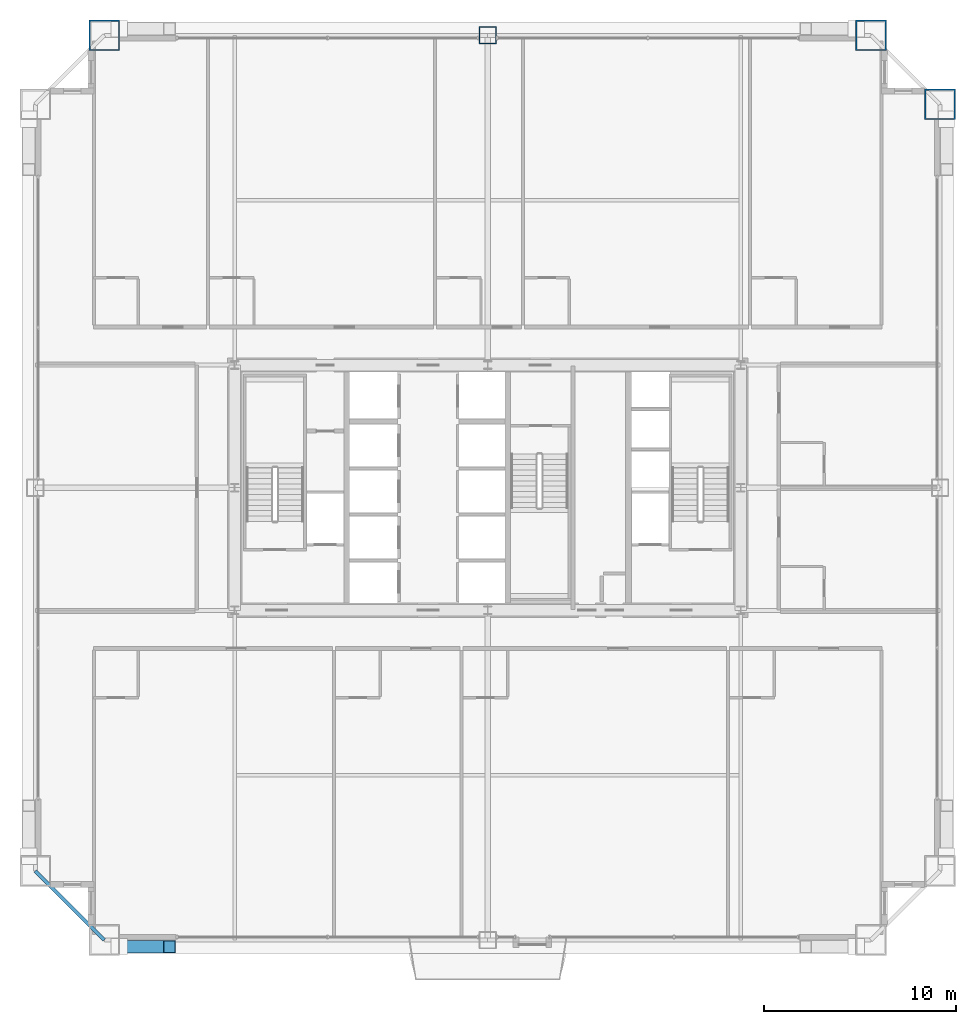
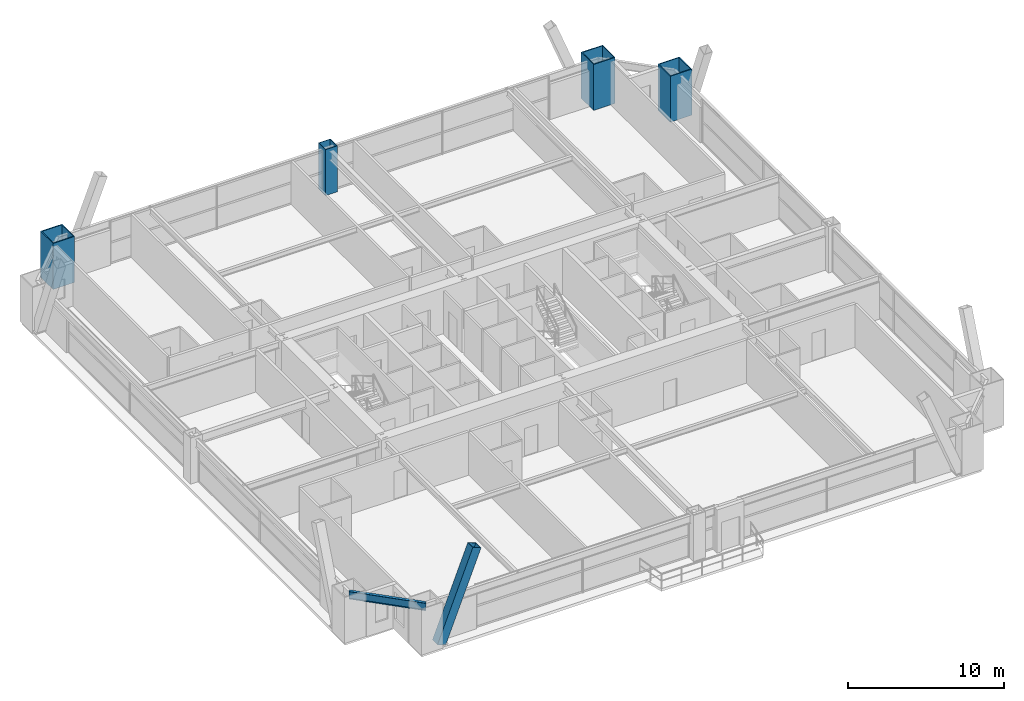
# One storey, part 2 of 41: 4 columns, 1 beam, 1 member.
"""IFC4 building model written with IfcOpenShell, lengths in metres."""

from ifc_helpers import new_model, si_unit, direction, frame, origin, origin_2d, place, context, subcontext, project, spatial, hollow_rectangle, i_section, extrude, source, transform, mapped, material, material_profile, profile_set, type_object, element, save


model = new_model("IFC4")

# Units and contexts
model_context = context("Model", 3, precision=1e-05, world=origin(), true_north=direction((0.0, 1.0)))
body_context = subcontext(model_context, "Body", "Model", "MODEL_VIEW")
ifc_project = project(units=[si_unit("LENGTHUNIT", "METRE"), si_unit("AREAUNIT", "SQUARE_METRE"), si_unit("VOLUMEUNIT", "CUBIC_METRE"), si_unit("PLANEANGLEUNIT", "RADIAN"), si_unit("MASSUNIT", "GRAM", prefix="KILO"), si_unit("THERMODYNAMICTEMPERATUREUNIT", "KELVIN"), si_unit("POWERUNIT", "WATT")], contexts=[model_context])

# Site, building, storey
site_placement = place(None, origin())
site = spatial("IfcSite", under=ifc_project, at=site_placement, CompositionType="ELEMENT")
building_placement = place(site_placement, origin())
building = spatial("IfcBuilding", under=site, at=building_placement, Name="Yuzanri Waterfront Tower", CompositionType="ELEMENT")
storey_placement = place(building_placement, frame((0.0, 0.0, 122.60009765625)))
storey = spatial("IfcBuildingStorey", under=building, at=storey_placement, Name="L32", CompositionType="ELEMENT", Elevation=122.60009765625)

# Columns
ifc_material_1 = material(Name="Steel Q390GJC", Category="steel")
ifc_material_profile_1 = material_profile(ifc_material_1, hollow_rectangle(XDim=0.89990234375, YDim=0.89990234375, WallThickness=0.0419921875, at=origin_2d()), Name="RHS 900x900x42")
ifc_profile_set_1 = profile_set([ifc_material_profile_1], Name="Steel Q390GJC")
column_type_1 = type_object("IfcColumnType", Name="Frame Column Q390GJC RHS 900x900x42", PredefinedType="COLUMN", material=ifc_profile_set_1)
shared_shape_1 = source(origin(), body_context, "Body", "SweptSolid", [
    extrude(hollow_rectangle(XDim=0.89990234375, YDim=0.89990234375, WallThickness=0.0419921875, at=origin_2d()), origin(), (0.0, 0.0, 1.0), 3.599853515625),
])
column_placement = place(storey_placement, frame((37.0, 49.39990234375, 0.0), z_axis=(0.0, 0.0, 1.0), x_axis=(1.0, 0.0, 0.0)))
element("IfcColumn", 1, at=column_placement, inside=storey, type_object=column_type_1, Name="L32 Perimeter Frame Column N2", PredefinedType="COLUMN", context=body_context, shape_type="MappedRepresentation", body=[
    mapped(shared_shape_1, transform((0.0, 0.0, 0.0), scale=1.0)),
])
ifc_material_2 = material(Name="Steel Q420GJC", Category="steel")
ifc_material_profile_2 = material_profile(ifc_material_2, hollow_rectangle(XDim=1.60009765625, YDim=1.60009765625, WallThickness=0.070068359375, at=origin_2d()), Name="RHS 1600x1600x70")
ifc_profile_set_2 = profile_set([ifc_material_profile_2], Name="Steel Q420GJC")
column_type_2 = type_object("IfcColumnType", Name="Mega Column Q420GJC RHS 1600x1600x70", PredefinedType="COLUMN", material=ifc_profile_set_2)
shared_shape_2 = source(origin(), body_context, "Body", "SweptSolid", [
    extrude(hollow_rectangle(XDim=1.60009765625, YDim=1.60009765625, WallThickness=0.070068359375, at=origin_2d()), origin(), (0.0, 0.0, 1.0), 3.599853515625),
])
for number, where, z_axis, x_axis, name in (
    (2, (17.0, 49.39990234375, 0.0), (0.0, 0.0, 1.0), (1.0, 0.0, 0.0), "L32 Perimeter Mega Column N1"),
    (3, (57.0, 49.39990234375, 0.0), (0.0, 0.0, 1.0), (1.0, 0.0, 0.0), "L32 Perimeter Mega Column N3"),
    (4, (60.60009765625, 45.800048828125, 0.0), (0.0, 0.0, 1.0), (1.0, 0.0, 0.0), "L32 Perimeter Mega Column E3"),
):
    element("IfcColumn", number, at=place(storey_placement, frame(where, z_axis=z_axis, x_axis=x_axis)), inside=storey, type_object=column_type_2, Name=name, PredefinedType="COLUMN", context=body_context, shape_type="MappedRepresentation", body=[
        mapped(shared_shape_2, transform((0.0, 0.0, 0.0), scale=1.0)),
    ])

# Beam
ifc_material_3 = material(Name="Steel Q355B", Category="steel")
ifc_material_profile_3 = material_profile(ifc_material_3, i_section(OverallWidth=0.199951171875, OverallDepth=0.60009765625, WebThickness=0.010986328125, FlangeThickness=0.01708984375, at=origin_2d()), Name="HN 600x200x11x17")
ifc_profile_set_3 = profile_set([ifc_material_profile_3], Name="Steel Q355B")
beam_type = type_object("IfcBeamType", Name="Perimeter Spandrel Q355B HN 600x200", PredefinedType="SPANDREL", material=ifc_profile_set_3)
shared_shape_3 = source(origin(), body_context, "Body", "SweptSolid", [
    extrude(i_section(OverallWidth=0.199951171875, OverallDepth=0.60009765625, WebThickness=0.010986328125, FlangeThickness=0.01708984375, at=origin_2d()), origin(), (0.0, 0.0, 1.0), 5.09130859375),
])
beam_placement = place(storey_placement, frame((13.39990234375, 5.800048828125, 3.079833984375), z_axis=(0.707106781187, -0.707106781187, 0.0), x_axis=(0.707106781187, 0.707106781187, 0.0)))
element("IfcBeam", 5, at=beam_placement, inside=storey, type_object=beam_type, Name="L32 Perimeter Spandrel W1-S1", PredefinedType="SPANDREL", context=body_context, shape_type="MappedRepresentation", body=[
    mapped(shared_shape_3, transform((0.0, 0.0, 0.0), scale=1.0)),
])

# Member
ifc_material_4 = material(Name="Steel Q420GJC", Category="steel")
ifc_material_profile_4 = material_profile(ifc_material_4, hollow_rectangle(XDim=0.64990234375, YDim=0.64990234375, WallThickness=0.028076171875, at=origin_2d()), Name="RHS 650x650x28")
ifc_profile_set_4 = profile_set([ifc_material_profile_4], Name="Steel Q420GJC")
member_type = type_object("IfcMemberType", Name="Mega Brace Lower Q420GJC RHS 650x650x28", PredefinedType="BRACE", material=ifc_profile_set_4)
shared_shape_4 = source(origin(), body_context, "Body", "SweptSolid", [
    extrude(hollow_rectangle(XDim=0.64990234375, YDim=0.64990234375, WallThickness=0.028076171875, at=origin_2d()), origin(), (0.0, 0.0, 1.0), 7.19384765625),
])
member_placement = place(storey_placement, frame((17.780029296875, 1.860107421875, 0.179931640625), z_axis=(0.36417668996, 0.0, 0.9313298763), x_axis=(0.0, 1.0, 0.0)))
element("IfcMember", 6, at=member_placement, inside=storey, type_object=member_type, Name="L32-L33 Perimeter Mega-Brace S-L", PredefinedType="BRACE", context=body_context, shape_type="MappedRepresentation", body=[
    mapped(shared_shape_4, transform((0.0, 0.0, 0.0), scale=1.0)),
])

save(model, "model.ifc")
